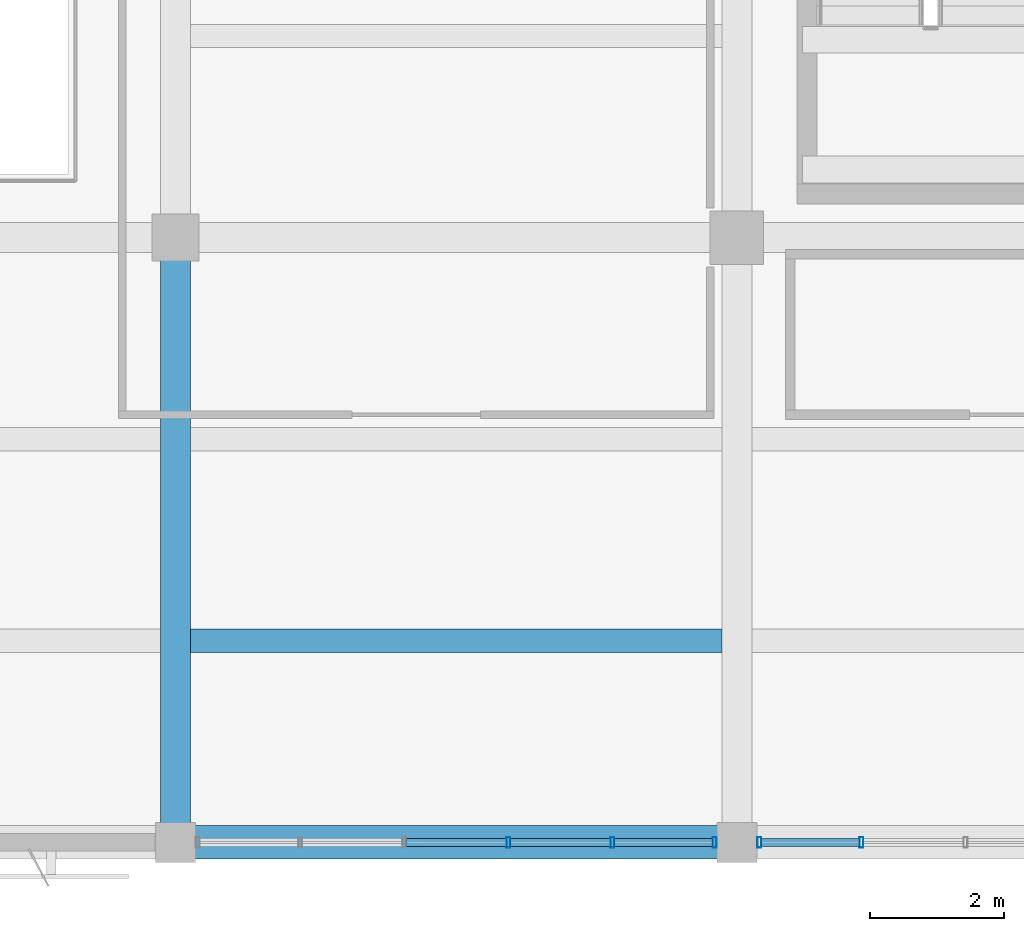
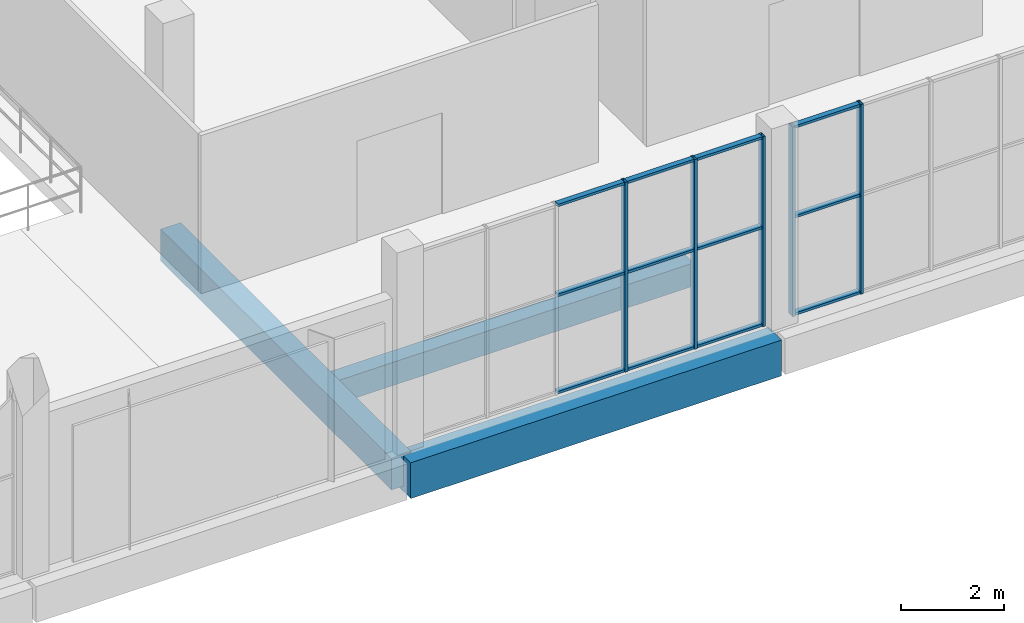
# One storey, part 17 of 80: 17 members, 3 beams, 2 elements without a shape of their own.
"""IFC4 building model written with IfcOpenShell, lengths in metres."""

from ifc_helpers import new_model, si_unit, direction, frame, origin, origin_2d, place, context, subcontext, project, spatial, rectangle, hollow_rectangle, extrude, material, material_profile, profile_set, type_object, element, aggregate, save


model = new_model("IFC4")

# Units and contexts
model_context = context("Model", 3, precision=1e-05, world=origin(), true_north=direction((0.0, 1.0)))
body_context = subcontext(model_context, "Body", "Model", "MODEL_VIEW")
ifc_project = project(units=[si_unit("LENGTHUNIT", "METRE"), si_unit("AREAUNIT", "SQUARE_METRE"), si_unit("VOLUMEUNIT", "CUBIC_METRE"), si_unit("PLANEANGLEUNIT", "RADIAN"), si_unit("MASSUNIT", "GRAM", prefix="KILO")], contexts=[model_context])

# Site, building, storey
site_placement = place(None, origin())
site = spatial("IfcSite", under=ifc_project, at=site_placement, CompositionType="ELEMENT")
building_placement = place(site_placement, origin())
building = spatial("IfcBuilding", under=site, at=building_placement, Name="Khurvash Pelagic Aquarium", CompositionType="ELEMENT")
storey_placement = place(building_placement, frame((0.0, 0.0, 10.800048828125)))
storey = spatial("IfcBuildingStorey", under=building, at=storey_placement, Name="L02", CompositionType="ELEMENT", Elevation=10.800048828125)

# Beam
ifc_material_1 = material(Name="Concrete C35/45", Category="concrete")
ifc_material_profile_1 = material_profile(ifc_material_1, rectangle(XDim=0.449951171875, YDim=0.75, at=origin_2d()), Name="RC450X750")
ifc_profile_set_1 = profile_set([ifc_material_profile_1], Name="Concrete C35/45")
beam_type_1 = type_object("IfcBeamType", Name="BM-04", PredefinedType="BEAM", material=ifc_profile_set_1)
beam_1_placement = place(storey_placement, frame((84.0, 2.639892578125, -0.675048828125), z_axis=(0.0, 1.0, 0.0), x_axis=(-1.0, 0.0, 0.0)))
element("IfcBeam", 1, at=beam_1_placement, inside=storey, type_object=beam_type_1, Name="L02 Primary Girder BM-04 00695", PredefinedType="BEAM", context=body_context, shape_type="SweptSolid", body=[
    extrude(rectangle(XDim=0.449951171875, YDim=0.75, at=origin_2d()), origin(), (0.0, 0.0, 1.0), 8.97021484375),
])

# Curtain wall, members
ifc_material_2 = material(Name="Anodised aluminium and low-E laminated glass", Category="aluminium")
curtain_wall_type = type_object("IfcCurtainWallType", Name="CW-06", PredefinedType="USERDEFINED", material=ifc_material_2)
curtain_wall_1_placement = place(storey_placement, origin())
curtain_wall_1 = element("IfcCurtainWall", 2, at=curtain_wall_1_placement, inside=storey, type_object=curtain_wall_type, Name="L02 Facade Unitised Curtain Wall CW-06 0155", ObjectType="UNITISED CURTAIN WALL", PredefinedType="USERDEFINED")
ifc_material_3 = material(Name="Extruded aluminium AW-6063-T6", Category="aluminium")
ifc_material_profile_2 = material_profile(ifc_material_3, hollow_rectangle(XDim=0.06005859375, YDim=0.159912109375, WallThickness=0.00390625, at=origin_2d()), Name="CWM60X160X4")
ifc_profile_set_2 = profile_set([ifc_material_profile_2], Name="Extruded aluminium AW-6063-T6")
member_type_1 = type_object("IfcMemberType", Name="CM-02", PredefinedType="MULLION", material=ifc_profile_set_2)
member_1_placement = place(storey_placement, frame((88.97900390625, 2.60009765625, 0.0), z_axis=(0.0, 0.0, 1.0), x_axis=(1.0, 0.0, 0.0)))
member_1 = element("IfcMember", 3, at=member_1_placement, type_object=member_type_1, Name="CW-06 mullion 4", PredefinedType="MULLION", context=body_context, shape_type="SweptSolid", body=[
    extrude(hollow_rectangle(XDim=0.06005859375, YDim=0.159912109375, WallThickness=0.00390625, at=origin_2d()), origin(), (0.0, 0.0, 1.0), 4.5),
])
member_2_placement = place(storey_placement, frame((90.537109375, 2.60009765625, 0.0), z_axis=(0.0, 0.0, 1.0), x_axis=(1.0, 0.0, 0.0)))
member_2 = element("IfcMember", 4, at=member_2_placement, type_object=member_type_1, Name="CW-06 mullion 5", PredefinedType="MULLION", context=body_context, shape_type="SweptSolid", body=[
    extrude(hollow_rectangle(XDim=0.06005859375, YDim=0.159912109375, WallThickness=0.00390625, at=origin_2d()), origin(), (0.0, 0.0, 1.0), 4.5),
])
member_3_placement = place(storey_placement, frame((92.06494140625, 2.60009765625, 0.0), z_axis=(0.0, 0.0, 1.0), x_axis=(1.0, 0.0, 0.0)))
member_3 = element("IfcMember", 5, at=member_3_placement, type_object=member_type_1, Name="CW-06 mullion 6", PredefinedType="MULLION", context=body_context, shape_type="SweptSolid", body=[
    extrude(hollow_rectangle(XDim=0.06005859375, YDim=0.159912109375, WallThickness=0.00390625, at=origin_2d()), origin(), (0.0, 0.0, 1.0), 4.5),
])

curtain_wall_2_placement = place(storey_placement, origin())
curtain_wall_2 = element("IfcCurtainWall", 6, at=curtain_wall_2_placement, inside=storey, type_object=curtain_wall_type, Name="L02 Facade Unitised Curtain Wall CW-06 0156", ObjectType="UNITISED CURTAIN WALL", PredefinedType="USERDEFINED")
member_4_placement = place(storey_placement, frame((92.735107421875, 2.60009765625, 0.0), z_axis=(0.0, 0.0, 1.0), x_axis=(1.0, 0.0, 0.0)))
member_4 = element("IfcMember", 7, at=member_4_placement, type_object=member_type_1, Name="CW-06 mullion 1", PredefinedType="MULLION", context=body_context, shape_type="SweptSolid", body=[
    extrude(hollow_rectangle(XDim=0.06005859375, YDim=0.159912109375, WallThickness=0.00390625, at=origin_2d()), origin(), (0.0, 0.0, 1.0), 4.5),
])
member_5_placement = place(storey_placement, frame((94.262939453125, 2.60009765625, 0.0), z_axis=(0.0, 0.0, 1.0), x_axis=(1.0, 0.0, 0.0)))
member_5 = element("IfcMember", 8, at=member_5_placement, type_object=member_type_1, Name="CW-06 mullion 2", PredefinedType="MULLION", context=body_context, shape_type="SweptSolid", body=[
    extrude(hollow_rectangle(XDim=0.06005859375, YDim=0.159912109375, WallThickness=0.00390625, at=origin_2d()), origin(), (0.0, 0.0, 1.0), 4.5),
])

# Member
ifc_material_profile_3 = material_profile(ifc_material_3, hollow_rectangle(XDim=0.1201171875, YDim=0.06005859375, WallThickness=0.00390625, at=origin_2d()), Name="CWT120X60X4")
ifc_profile_set_3 = profile_set([ifc_material_profile_3], Name="Extruded aluminium AW-6063-T6")
member_type_2 = type_object("IfcMemberType", Name="CT-02", PredefinedType="USERDEFINED", material=ifc_profile_set_3)
member_6_placement = place(storey_placement, frame((87.450927734375, 2.60009765625, 0.030029296875), z_axis=(1.0, 0.0, 0.0), x_axis=(0.0, 1.0, 0.0)))
member_6 = element("IfcMember", 9, at=member_6_placement, type_object=member_type_2, Name="CW-06 transom 3.1", ObjectType="TRANSOM", PredefinedType="USERDEFINED", context=body_context, shape_type="SweptSolid", body=[
    extrude(hollow_rectangle(XDim=0.1201171875, YDim=0.06005859375, WallThickness=0.00390625, at=origin_2d()), origin(), (0.0, 0.0, 1.0), 1.498046875),
])

member_7_placement = place(storey_placement, frame((87.450927734375, 2.60009765625, 2.33984375), z_axis=(1.0, 0.0, 0.0), x_axis=(0.0, 1.0, 0.0)))
member_7 = element("IfcMember", 10, at=member_7_placement, type_object=member_type_2, Name="CW-06 transom 3.2", ObjectType="TRANSOM", PredefinedType="USERDEFINED", context=body_context, shape_type="SweptSolid", body=[
    extrude(hollow_rectangle(XDim=0.1201171875, YDim=0.06005859375, WallThickness=0.00390625, at=origin_2d()), origin(), (0.0, 0.0, 1.0), 1.498046875),
])

member_8_placement = place(storey_placement, frame((87.450927734375, 2.60009765625, 4.469970703125), z_axis=(1.0, 0.0, 0.0), x_axis=(0.0, 1.0, 0.0)))
member_8 = element("IfcMember", 11, at=member_8_placement, type_object=member_type_2, Name="CW-06 transom 3.3", ObjectType="TRANSOM", PredefinedType="USERDEFINED", context=body_context, shape_type="SweptSolid", body=[
    extrude(hollow_rectangle(XDim=0.1201171875, YDim=0.06005859375, WallThickness=0.00390625, at=origin_2d()), origin(), (0.0, 0.0, 1.0), 1.498046875),
])

member_9_placement = place(storey_placement, frame((89.009033203125, 2.60009765625, 0.030029296875), z_axis=(1.0, 0.0, 0.0), x_axis=(0.0, 1.0, 0.0)))
member_9 = element("IfcMember", 12, at=member_9_placement, type_object=member_type_2, Name="CW-06 transom 4.1", ObjectType="TRANSOM", PredefinedType="USERDEFINED", context=body_context, shape_type="SweptSolid", body=[
    extrude(hollow_rectangle(XDim=0.1201171875, YDim=0.06005859375, WallThickness=0.00390625, at=origin_2d()), origin(), (0.0, 0.0, 1.0), 1.498046875),
])

member_10_placement = place(storey_placement, frame((89.009033203125, 2.60009765625, 2.33984375), z_axis=(1.0, 0.0, 0.0), x_axis=(0.0, 1.0, 0.0)))
member_10 = element("IfcMember", 13, at=member_10_placement, type_object=member_type_2, Name="CW-06 transom 4.2", ObjectType="TRANSOM", PredefinedType="USERDEFINED", context=body_context, shape_type="SweptSolid", body=[
    extrude(hollow_rectangle(XDim=0.1201171875, YDim=0.06005859375, WallThickness=0.00390625, at=origin_2d()), origin(), (0.0, 0.0, 1.0), 1.498046875),
])

member_11_placement = place(storey_placement, frame((89.009033203125, 2.60009765625, 4.469970703125), z_axis=(1.0, 0.0, 0.0), x_axis=(0.0, 1.0, 0.0)))
member_11 = element("IfcMember", 14, at=member_11_placement, type_object=member_type_2, Name="CW-06 transom 4.3", ObjectType="TRANSOM", PredefinedType="USERDEFINED", context=body_context, shape_type="SweptSolid", body=[
    extrude(hollow_rectangle(XDim=0.1201171875, YDim=0.06005859375, WallThickness=0.00390625, at=origin_2d()), origin(), (0.0, 0.0, 1.0), 1.498046875),
])

member_12_placement = place(storey_placement, frame((90.56689453125, 2.60009765625, 0.030029296875), z_axis=(1.0, 0.0, 0.0), x_axis=(0.0, 1.0, 0.0)))
member_12 = element("IfcMember", 15, at=member_12_placement, type_object=member_type_2, Name="CW-06 transom 5.1", ObjectType="TRANSOM", PredefinedType="USERDEFINED", context=body_context, shape_type="SweptSolid", body=[
    extrude(hollow_rectangle(XDim=0.1201171875, YDim=0.06005859375, WallThickness=0.00390625, at=origin_2d()), origin(), (0.0, 0.0, 1.0), 1.468017578125),
])

member_13_placement = place(storey_placement, frame((90.56689453125, 2.60009765625, 2.33984375), z_axis=(1.0, 0.0, 0.0), x_axis=(0.0, 1.0, 0.0)))
member_13 = element("IfcMember", 16, at=member_13_placement, type_object=member_type_2, Name="CW-06 transom 5.2", ObjectType="TRANSOM", PredefinedType="USERDEFINED", context=body_context, shape_type="SweptSolid", body=[
    extrude(hollow_rectangle(XDim=0.1201171875, YDim=0.06005859375, WallThickness=0.00390625, at=origin_2d()), origin(), (0.0, 0.0, 1.0), 1.468017578125),
])

member_14_placement = place(storey_placement, frame((90.56689453125, 2.60009765625, 4.469970703125), z_axis=(1.0, 0.0, 0.0), x_axis=(0.0, 1.0, 0.0)))
member_14 = element("IfcMember", 17, at=member_14_placement, type_object=member_type_2, Name="CW-06 transom 5.3", ObjectType="TRANSOM", PredefinedType="USERDEFINED", context=body_context, shape_type="SweptSolid", body=[
    extrude(hollow_rectangle(XDim=0.1201171875, YDim=0.06005859375, WallThickness=0.00390625, at=origin_2d()), origin(), (0.0, 0.0, 1.0), 1.468017578125),
])

aggregate(curtain_wall_1, [member_1, member_2, member_3, member_6, member_7, member_8, member_9, member_10, member_11, member_12, member_13, member_14])

member_15_placement = place(storey_placement, frame((92.764892578125, 2.60009765625, 0.030029296875), z_axis=(1.0, 0.0, 0.0), x_axis=(0.0, 1.0, 0.0)))
member_15 = element("IfcMember", 18, at=member_15_placement, type_object=member_type_2, Name="CW-06 transom 1.1", ObjectType="TRANSOM", PredefinedType="USERDEFINED", context=body_context, shape_type="SweptSolid", body=[
    extrude(hollow_rectangle(XDim=0.1201171875, YDim=0.06005859375, WallThickness=0.00390625, at=origin_2d()), origin(), (0.0, 0.0, 1.0), 1.468017578125),
])

member_16_placement = place(storey_placement, frame((92.764892578125, 2.60009765625, 2.33984375), z_axis=(1.0, 0.0, 0.0), x_axis=(0.0, 1.0, 0.0)))
member_16 = element("IfcMember", 19, at=member_16_placement, type_object=member_type_2, Name="CW-06 transom 1.2", ObjectType="TRANSOM", PredefinedType="USERDEFINED", context=body_context, shape_type="SweptSolid", body=[
    extrude(hollow_rectangle(XDim=0.1201171875, YDim=0.06005859375, WallThickness=0.00390625, at=origin_2d()), origin(), (0.0, 0.0, 1.0), 1.468017578125),
])

member_17_placement = place(storey_placement, frame((92.764892578125, 2.60009765625, 4.469970703125), z_axis=(1.0, 0.0, 0.0), x_axis=(0.0, 1.0, 0.0)))
member_17 = element("IfcMember", 20, at=member_17_placement, type_object=member_type_2, Name="CW-06 transom 1.3", ObjectType="TRANSOM", PredefinedType="USERDEFINED", context=body_context, shape_type="SweptSolid", body=[
    extrude(hollow_rectangle(XDim=0.1201171875, YDim=0.06005859375, WallThickness=0.00390625, at=origin_2d()), origin(), (0.0, 0.0, 1.0), 1.468017578125),
])

aggregate(curtain_wall_2, [member_4, member_5, member_15, member_16, member_17])

# Beams
ifc_material_profile_4 = material_profile(ifc_material_1, rectangle(XDim=0.35009765625, YDim=0.550048828125, at=origin_2d()), Name="RC350X550")
ifc_profile_set_4 = profile_set([ifc_material_profile_4], Name="Concrete C35/45")
beam_type_2 = type_object("IfcBeamType", Name="JS-01", PredefinedType="JOIST", material=ifc_profile_set_4)
beam_2_placement = place(storey_placement, frame((84.22509765625, 5.616943359375, -0.574951171875), z_axis=(1.0, 0.0, 0.0), x_axis=(0.0, 1.0, 0.0)))
element("IfcBeam", 21, at=beam_2_placement, inside=storey, type_object=beam_type_2, Name="L02 Floor Joist JS-01 00795", PredefinedType="JOIST", context=body_context, shape_type="SweptSolid", body=[
    extrude(rectangle(XDim=0.35009765625, YDim=0.550048828125, at=origin_2d()), origin(), (0.0, 0.0, 1.0), 7.949951171875),
])
ifc_material_4 = material(Name="Concrete C40/50", Category="concrete")
ifc_material_profile_5 = material_profile(ifc_material_4, rectangle(XDim=0.5, YDim=0.85009765625, at=origin_2d()), Name="RC500X850")
ifc_profile_set_5 = profile_set([ifc_material_profile_5], Name="Concrete C40/50")
beam_type_3 = type_object("IfcBeamType", Name="SEB-03", PredefinedType="SPANDREL", material=ifc_profile_set_5)
beam_3_placement = place(storey_placement, frame((84.0400390625, 2.60009765625, -0.7451171875), z_axis=(1.0, 0.0, 0.0), x_axis=(0.0, 1.0, 0.0)))
element("IfcBeam", 22, at=beam_3_placement, inside=storey, type_object=beam_type_3, Name="L02 Primary Girder SEB-03 00569", PredefinedType="SPANDREL", context=body_context, shape_type="SweptSolid", body=[
    extrude(rectangle(XDim=0.5, YDim=0.85009765625, at=origin_2d()), origin(), (0.0, 0.0, 1.0), 8.320068359375),
])

save(model, "model.ifc")
